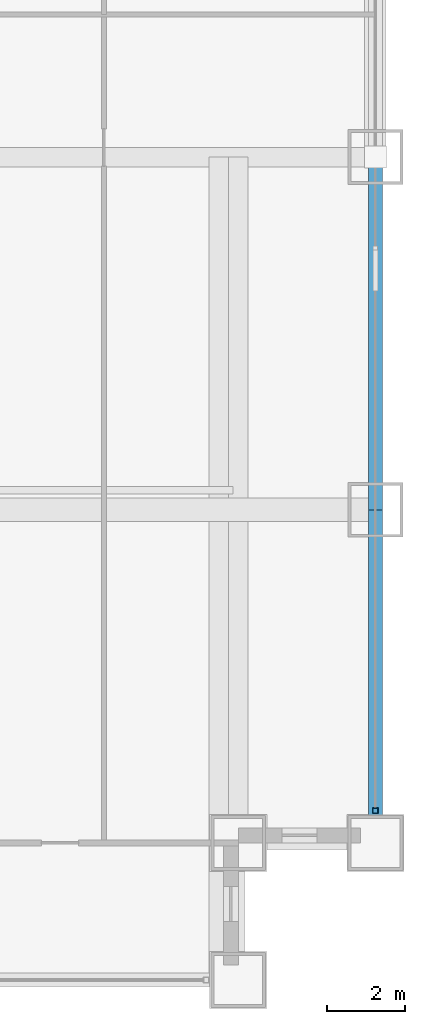
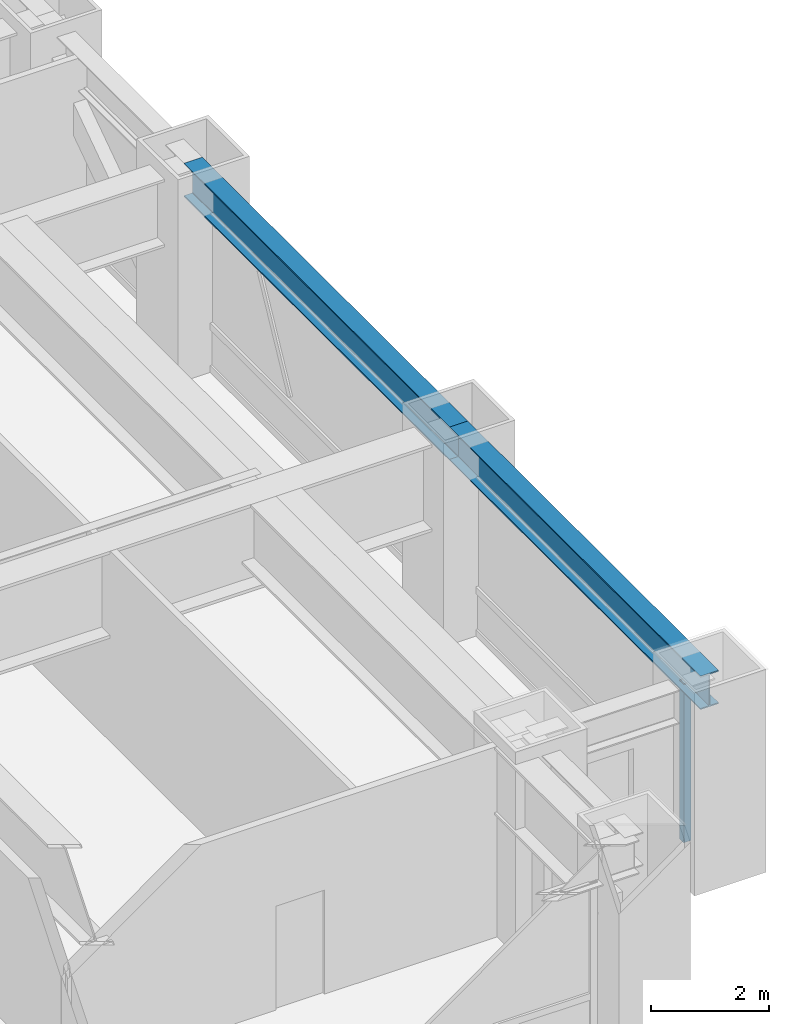
# One storey, part 12 of 29: 2 beams, 1 member, 1 element without a shape of its own.
"""IFC4 building model written with IfcOpenShell, lengths in metres."""

from ifc_helpers import new_model, si_unit, direction, frame, origin, origin_2d, place, context, subcontext, project, spatial, hollow_rectangle, i_section, extrude, source, transform, mapped, material, material_profile, profile_set, type_object, element, aggregate, save


model = new_model("IFC4")

# Units and contexts
model_context = context("Model", 3, precision=1e-05, world=origin(), true_north=direction((0.0, 1.0)))
body_context = subcontext(model_context, "Body", "Model", "MODEL_VIEW")
ifc_project = project(units=[si_unit("LENGTHUNIT", "METRE"), si_unit("AREAUNIT", "SQUARE_METRE"), si_unit("VOLUMEUNIT", "CUBIC_METRE"), si_unit("PLANEANGLEUNIT", "RADIAN"), si_unit("MASSUNIT", "GRAM", prefix="KILO")], contexts=[model_context])

# Site, building, storey
site_placement = place(None, origin())
site = spatial("IfcSite", under=ifc_project, at=site_placement, CompositionType="ELEMENT")
building_placement = place(site_placement, origin())
building = spatial("IfcBuilding", under=site, at=building_placement, Name="Khorayat Bourse Tower", CompositionType="ELEMENT")
storey_placement = place(building_placement, frame((0.0, 0.0, 87.199951171875)))
storey = spatial("IfcBuildingStorey", under=building, at=storey_placement, Name="L19", CompositionType="ELEMENT", Elevation=87.199951171875)

# Beams
ifc_material_1 = material(Name="Steel ASTM A992 Grade 50", Category="steel")
ifc_material_profile_1 = material_profile(ifc_material_1, i_section(OverallWidth=0.35498046875, OverallDepth=0.695068359375, WebThickness=0.015380859375, FlangeThickness=0.02490234375, FilletRadius=0.01806640625, at=origin_2d()), Name="W690X217")
ifc_profile_set_1 = profile_set([ifc_material_profile_1], Name="Steel ASTM A992 Grade 50")
beam_type = type_object("IfcBeamType", Name="BM-SPAN-690", PredefinedType="SPANDREL", material=ifc_profile_set_1)
shared_shape_1 = source(origin(), body_context, "Body", "SweptSolid", [
    extrude(i_section(OverallWidth=0.35498046875, OverallDepth=0.695068359375, WebThickness=0.015380859375, FlangeThickness=0.02490234375, FilletRadius=0.01806640625, at=origin_2d()), origin(), (0.0, 0.0, 1.0), 8.5),
])
beam_1_placement = place(storey_placement, frame((32.0, -28.5, 3.592529296875), z_axis=(0.0, 1.0, 0.0), x_axis=(-1.0, 0.0, 0.0)))
element("IfcBeam", 1, at=beam_1_placement, inside=storey, type_object=beam_type, Name="L19 BM-SPAN-690 BM-L19-SPN-034", PredefinedType="SPANDREL", context=body_context, shape_type="MappedRepresentation", body=[
    mapped(shared_shape_1, transform((0.0, 0.0, 0.0), scale=1.0)),
])
shared_shape_2 = source(origin(), body_context, "Body", "SweptSolid", [
    extrude(i_section(OverallWidth=0.35498046875, OverallDepth=0.695068359375, WebThickness=0.015380859375, FlangeThickness=0.02490234375, FilletRadius=0.01806640625, at=origin_2d()), origin(), (0.0, 0.0, 1.0), 9.0),
])
beam_2_placement = place(storey_placement, frame((32.0, -20.0, 3.592529296875), z_axis=(0.0, 1.0, 0.0), x_axis=(-1.0, 0.0, 0.0)))
element("IfcBeam", 2, at=beam_2_placement, inside=storey, type_object=beam_type, Name="L19 BM-SPAN-690 BM-L19-SPN-035", PredefinedType="SPANDREL", context=body_context, shape_type="MappedRepresentation", body=[
    mapped(shared_shape_2, transform((0.0, 0.0, 0.0), scale=1.0)),
])

# Curtain wall, member
ifc_material_2 = material(Name="Aluminium EN AW-6063 T6", Category="aluminium")
curtain_wall_type = type_object("IfcCurtainWallType", Name="CW-SYS-02", PredefinedType="NOTDEFINED", material=ifc_material_2)
curtain_wall_placement = place(storey_placement, origin())
curtain_wall = element("IfcCurtainWall", 3, at=curtain_wall_placement, inside=storey, type_object=curtain_wall_type, Name="L19 Curtain Wall CW-L19-E1", PredefinedType="NOTDEFINED")
ifc_material_profile_2 = material_profile(ifc_material_2, hollow_rectangle(XDim=0.139892578125, YDim=0.139892578125, WallThickness=0.006103515625, at=origin_2d()), Name="ALU 140x140x6")
ifc_profile_set_2 = profile_set([ifc_material_profile_2], Name="Aluminium EN AW-6063 T6")
member_type = type_object("IfcMemberType", Name="CWM-VERT-140", PredefinedType="MULLION", material=ifc_profile_set_2)
shared_shape_3 = source(origin(), body_context, "Body", "SweptSolid", [
    extrude(hollow_rectangle(XDim=0.139892578125, YDim=0.139892578125, WallThickness=0.006103515625, at=origin_2d()), origin(), (0.0, 0.0, 1.0), 3.2900390625),
])
member_placement = place(storey_placement, frame((32.0, -27.679931640625, 0.0), z_axis=(0.0, 0.0, 1.0), x_axis=(-1.0, 0.0, 0.0)))
member = element("IfcMember", 4, at=member_placement, type_object=member_type, Name="CW-L19-E1 Vertical Mullion 1", PredefinedType="MULLION", context=body_context, shape_type="MappedRepresentation", body=[
    mapped(shared_shape_3, transform((0.0, 0.0, 0.0), scale=1.0)),
])
aggregate(curtain_wall, [member])

save(model, "model.ifc")
